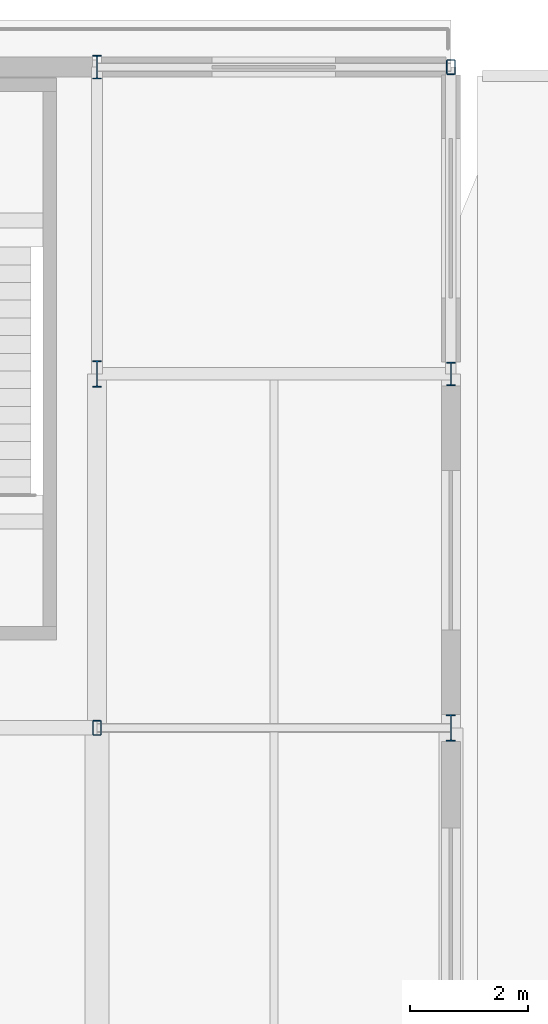
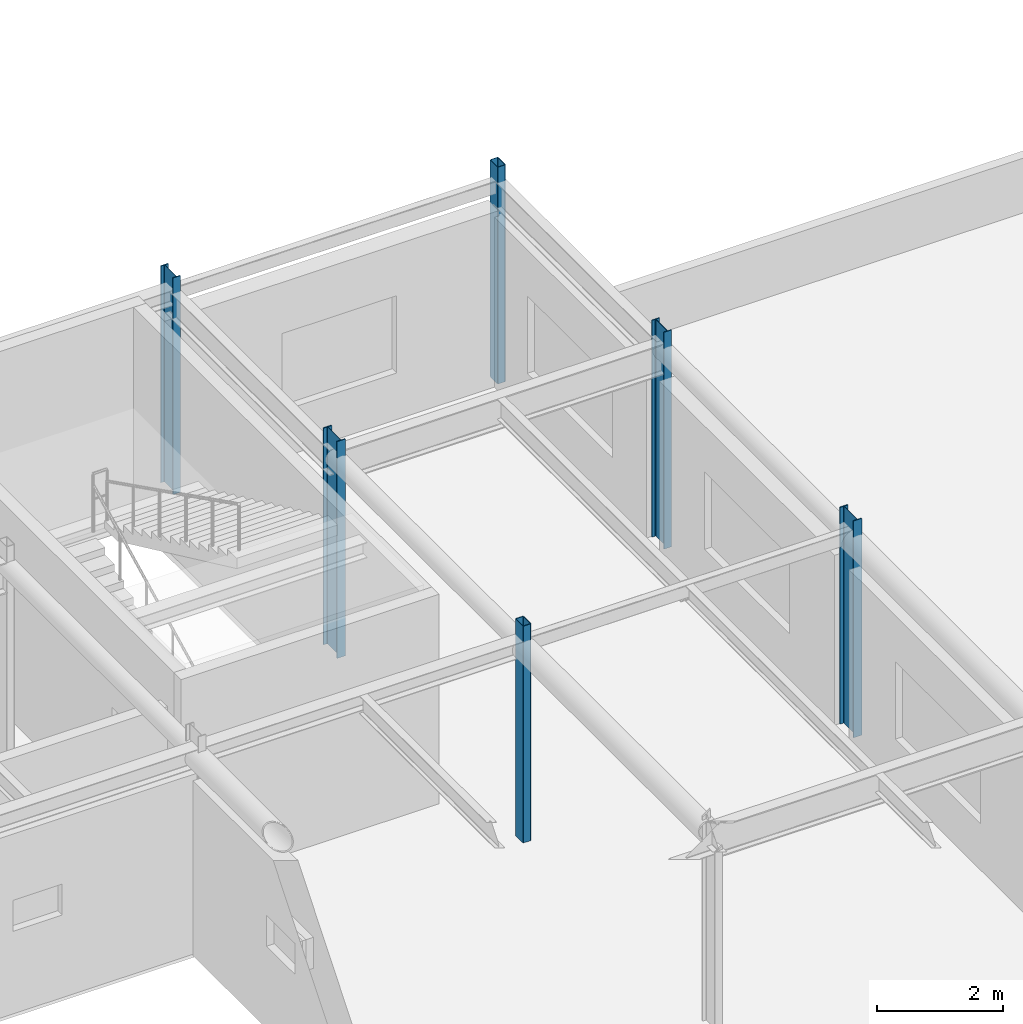
# One storey, part 25 of 116: 6 columns.
"""IFC4 building model written with IfcOpenShell, lengths in metres."""

from ifc_helpers import new_model, si_unit, direction, frame, origin, origin_2d, place, context, subcontext, project, spatial, hollow_rectangle, i_section, extrude, material, material_profile, profile_set, type_object, element, save


model = new_model("IFC4")

# Units and contexts
model_context = context("Model", 3, precision=1e-05, world=origin(), true_north=direction((0.0, 1.0)))
body_context = subcontext(model_context, "Body", "Model", "MODEL_VIEW")
ifc_project = project(units=[si_unit("LENGTHUNIT", "METRE"), si_unit("AREAUNIT", "SQUARE_METRE"), si_unit("VOLUMEUNIT", "CUBIC_METRE"), si_unit("PLANEANGLEUNIT", "RADIAN"), si_unit("MASSUNIT", "GRAM", prefix="KILO")], contexts=[model_context])

# Site, building, storey
site_placement = place(None, origin())
site = spatial("IfcSite", under=ifc_project, at=site_placement, CompositionType="ELEMENT")
building_placement = place(site_placement, origin())
building = spatial("IfcBuilding", under=site, at=building_placement, Name="Varnakota Square Police Headquarters", CompositionType="ELEMENT")
storey_placement = place(building_placement, frame((0.0, 0.0, 9.300048828125)))
storey = spatial("IfcBuildingStorey", under=building, at=storey_placement, Name="L02", CompositionType="ELEMENT", Elevation=9.300048828125)

# Columns
ifc_material = material(Name="Steel IS 2062 Grade 350", Category="steel")
ifc_material_profile_1 = material_profile(ifc_material, i_section(OverallWidth=0.139892578125, OverallDepth=0.39990234375, WebThickness=0.0087890625, FlangeThickness=0.01611328125, FilletRadius=0.013916015625, at=origin_2d()), Name="ISMB 400")
ifc_profile_set_1 = profile_set([ifc_material_profile_1], Name="Steel IS 2062 Grade 350")
column_type_1 = type_object("IfcColumnType", Name="COL-ISMB400", PredefinedType="COLUMN", material=ifc_profile_set_1)
for number, where, z_axis, x_axis, name in (
    (1, (138.0, 110.199951171875, 0.0), (0.0, 0.0, 1.0), (1.0, 0.0, 0.0), "Column X1380-Y1102 L02"),
    (2, (144.0, 105.0, 0.0), (0.0, 0.0, 1.0), (1.0, 0.0, 0.0), "Column X1440-Y1050 L02"),
):
    element("IfcColumn", number, at=place(storey_placement, frame(where, z_axis=z_axis, x_axis=x_axis)), inside=storey, type_object=column_type_1, Name=name, PredefinedType="COLUMN", context=body_context, shape_type="SweptSolid", body=[
        extrude(i_section(OverallWidth=0.139892578125, OverallDepth=0.39990234375, WebThickness=0.0087890625, FlangeThickness=0.01611328125, FilletRadius=0.013916015625, at=origin_2d()), origin(), (0.0, 0.0, 1.0), 4.199951171875),
    ])
ifc_material_profile_2 = material_profile(ifc_material, i_section(OverallWidth=0.14990234375, OverallDepth=0.449951171875, WebThickness=0.009521484375, FlangeThickness=0.017333984375, FilletRadius=0.014892578125, at=origin_2d()), Name="ISMB 450")
ifc_profile_set_2 = profile_set([ifc_material_profile_2], Name="Steel IS 2062 Grade 350")
column_type_2 = type_object("IfcColumnType", Name="COL-ISMB450", PredefinedType="COLUMN", material=ifc_profile_set_2)
for number, where, z_axis, x_axis, name in (
    (3, (138.0, 105.0, 0.0), (0.0, 0.0, 1.0), (1.0, 0.0, 0.0), "Column X1380-Y1050 L02"),
    (4, (144.0, 99.0, 0.0), (0.0, 0.0, 1.0), (1.0, 0.0, 0.0), "Column X1440-Y0990 L02"),
):
    element("IfcColumn", number, at=place(storey_placement, frame(where, z_axis=z_axis, x_axis=x_axis)), inside=storey, type_object=column_type_2, Name=name, PredefinedType="COLUMN", context=body_context, shape_type="SweptSolid", body=[
        extrude(i_section(OverallWidth=0.14990234375, OverallDepth=0.449951171875, WebThickness=0.009521484375, FlangeThickness=0.017333984375, FilletRadius=0.014892578125, at=origin_2d()), origin(), (0.0, 0.0, 1.0), 4.199951171875),
    ])
ifc_material_profile_3 = material_profile(ifc_material, hollow_rectangle(XDim=0.14990234375, YDim=0.25, WallThickness=0.010009765625, InnerFilletRadius=0.010009765625, OuterFilletRadius=0.02001953125, at=origin_2d()), Name="RHS 250x150x10")
ifc_profile_set_3 = profile_set([ifc_material_profile_3], Name="Steel IS 2062 Grade 350")
column_type_3 = type_object("IfcColumnType", Name="COL-RHS250", PredefinedType="COLUMN", material=ifc_profile_set_3)
for number, where, z_axis, x_axis, name in (
    (5, (138.0, 99.0, 0.0), (0.0, 0.0, 1.0), (1.0, 0.0, 0.0), "Column X1380-Y0990 L02"),
    (6, (144.0, 110.199951171875, 0.0), (0.0, 0.0, 1.0), (1.0, 0.0, 0.0), "Column X1440-Y1102 L02"),
):
    element("IfcColumn", number, at=place(storey_placement, frame(where, z_axis=z_axis, x_axis=x_axis)), inside=storey, type_object=column_type_3, Name=name, PredefinedType="COLUMN", context=body_context, shape_type="SweptSolid", body=[
        extrude(hollow_rectangle(XDim=0.14990234375, YDim=0.25, WallThickness=0.010009765625, InnerFilletRadius=0.010009765625, OuterFilletRadius=0.02001953125, at=origin_2d()), origin(), (0.0, 0.0, 1.0), 4.199951171875),
    ])

save(model, "model.ifc")
